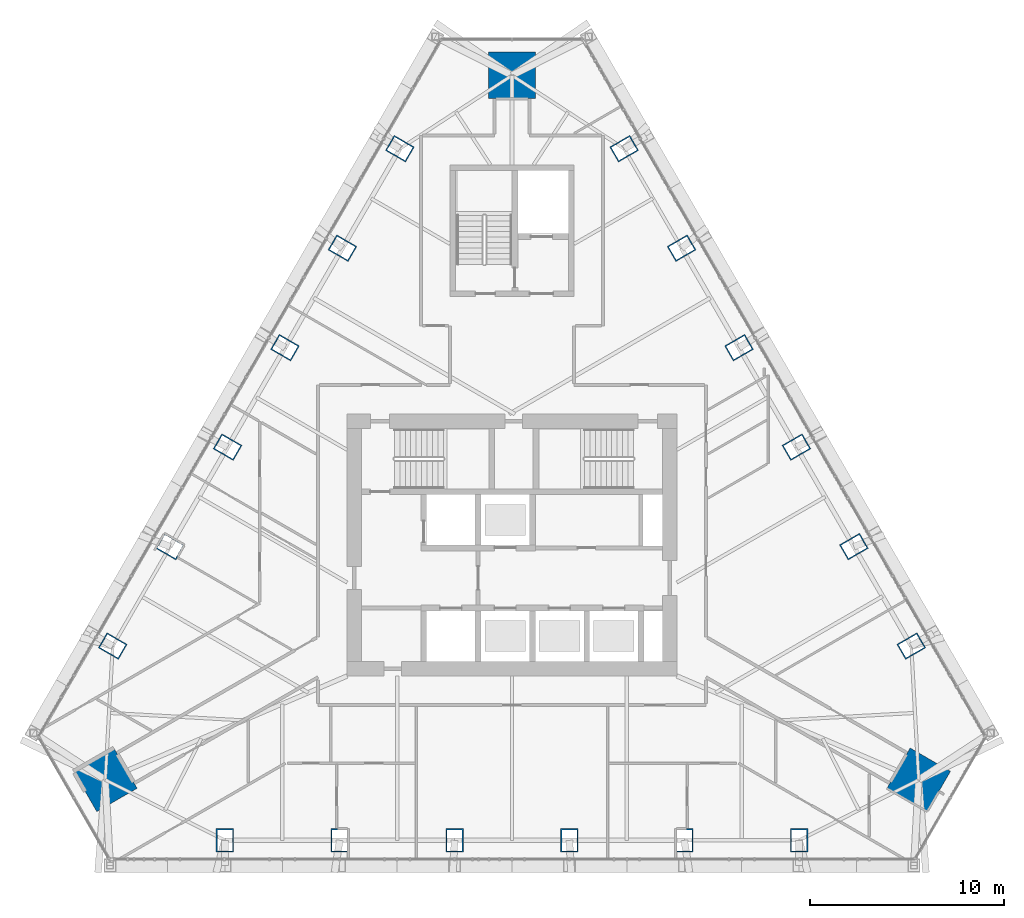
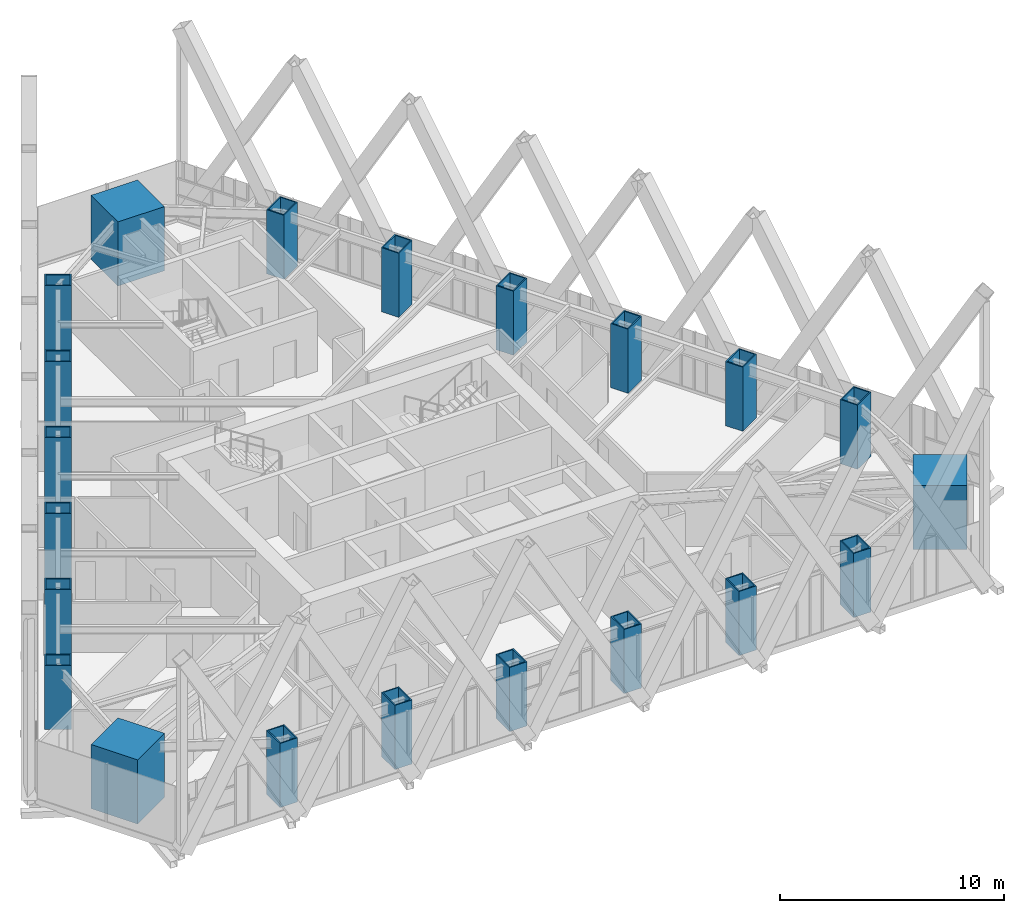
# One storey, part 1 of 23: 21 columns.
"""IFC4 building model written with IfcOpenShell, lengths in metres."""

import ifcopenshell
import ifcopenshell.guid

model = None  # the IFC model being written
_history = None  # IfcOwnerHistory: only IFC2X3 demands one
_inside = {}  # id of a spatial element -> (the spatial element, [elements in it])
_under = {}  # id of a project, library or spatial element -> (it, [spatial elements below it])
_declared = {}  # id of a project -> (the project, [libraries it declares])
_typed = {}  # id of a type object -> (the type object, [elements of that type])
_made_of = {}  # id of a material, layer set ... -> (it, [elements and type objects made of it])


def new_model(schema):
    """Start an empty IFC model of exactly this schema.

    Asked for "IFC4X3", IfcOpenShell would pick the latest addendum, in which some entities
    have other attributes; the version numbers below select the first issue.
    IFC2X3 requires an IfcOwnerHistory on every rooted entity: one is made here for all.
    """
    global model, _history
    if schema == "IFC4X3":
        model = ifcopenshell.file(schema_version=(4, 3, 0, 0))
    else:
        model = ifcopenshell.file(schema=schema)
    _inside.clear()
    _under.clear()
    _declared.clear()
    _typed.clear()
    _made_of.clear()
    _history = None
    if model.schema == "IFC2X3":
        org = make("IfcOrganization", Name="unknown")
        user = make(
            "IfcPersonAndOrganization",
            ThePerson=make("IfcPerson", FamilyName="unknown"),
            TheOrganization=org,
        )
        app = make(
            "IfcApplication",
            ApplicationDeveloper=org,
            Version="unknown",
            ApplicationFullName="unknown",
            ApplicationIdentifier="unknown",
        )
        _history = make(
            "IfcOwnerHistory",
            OwningUser=user,
            OwningApplication=app,
            ChangeAction="ADDED",
            CreationDate=0,
        )
    return model


def make(cls, **values):
    """One entity of the class cls with the attributes given. An attribute that is None is left unset."""
    return model.create_entity(
        cls, **{name: value for name, value in values.items() if value is not None}
    )


def rooted(cls, **values):
    """An entity with a GlobalId (a new one), such as an element, a storey or a relation."""
    return make(cls, GlobalId=ifcopenshell.guid.new(), OwnerHistory=_history, **values)


def si_unit(unit_type, name, prefix=None):
    """IfcSIUnit, for example si_unit("LENGTHUNIT", "METRE", prefix="MILLI")."""
    return make("IfcSIUnit", UnitType=unit_type, Prefix=prefix, Name=name)


def assignment(units):
    """IfcUnitAssignment: the units of a project."""
    return None if units is None else make("IfcUnitAssignment", Units=units)


def point(xyz):
    """IfcCartesianPoint."""
    return None if xyz is None else make("IfcCartesianPoint", Coordinates=xyz)


def direction(xyz):
    """IfcDirection."""
    return None if xyz is None else make("IfcDirection", DirectionRatios=xyz)


def frame(location, z_axis=None, x_axis=None):
    """IfcAxis2Placement3D, a coordinate frame: its origin and axes. An axis left out is left unset."""
    return make(
        "IfcAxis2Placement3D",
        Location=point(location),
        Axis=direction(z_axis),
        RefDirection=direction(x_axis),
    )


def frame_2d(location, x_axis=None):
    """IfcAxis2Placement2D, a coordinate frame in the plane: its origin and x axis."""
    return make(
        "IfcAxis2Placement2D", Location=point(location), RefDirection=direction(x_axis)
    )


def origin():
    """The frame at (0, 0, 0) with its axes left unset."""
    return frame((0.0, 0.0, 0.0))


def origin_2d():
    """The frame at (0, 0) in the plane with its x axis left unset."""
    return frame_2d((0.0, 0.0))


def place(relative_to, where):
    """IfcLocalPlacement: puts the frame where relative to a parent placement (None: the world)."""
    return make(
        "IfcLocalPlacement", PlacementRelTo=relative_to, RelativePlacement=where
    )


def context(
    kind, dimensions, precision=None, world=None, true_north=None, identifier=None
):
    """IfcGeometricRepresentationContext, for example the 3D "Model" context."""
    return make(
        "IfcGeometricRepresentationContext",
        ContextIdentifier=identifier,
        ContextType=kind,
        CoordinateSpaceDimension=dimensions,
        Precision=precision,
        WorldCoordinateSystem=world,
        TrueNorth=true_north,
    )


def subcontext(parent, identifier, kind, view, scale=None):
    """IfcGeometricRepresentationSubContext, for example "Body" below "Model"."""
    return make(
        "IfcGeometricRepresentationSubContext",
        ContextIdentifier=identifier,
        ContextType=kind,
        ParentContext=parent,
        TargetScale=scale,
        TargetView=view,
    )


def project(units=None, contexts=None):
    """IfcProject with its units and contexts."""
    return rooted(
        "IfcProject",
        Name="project",
        RepresentationContexts=contexts,
        UnitsInContext=assignment(units),
    )


def spatial(cls, under=None, at=None, **own):
    """A site, building, storey or space (cls), placed at a placement, below another one or the project."""
    s = rooted(cls, ObjectPlacement=at, **own)
    if under is not None:
        _under.setdefault(under.id(), (under, []))[1].append(s)
    return s


def profile(cls, at=None, kind="AREA", **sizes):
    """A parametric profile (cls). Its sizes go by their IFC names, for example OverallWidth=200.0."""
    return make(cls, ProfileType=kind, Position=at, **sizes)


def rectangle(**sizes):
    """IfcRectangleProfileDef."""
    return profile("IfcRectangleProfileDef", **sizes)


def hollow_rectangle(**sizes):
    """IfcRectangleHollowProfileDef."""
    return profile("IfcRectangleHollowProfileDef", **sizes)


def extrude(swept, where, along, depth):
    """IfcExtrudedAreaSolid: the profile swept, set in the frame where, extruded along a direction by depth."""
    return make(
        "IfcExtrudedAreaSolid",
        SweptArea=swept,
        Position=where,
        ExtrudedDirection=direction(along),
        Depth=depth,
    )


def shape(context_of_items, identifier, shape_type, items):
    """IfcShapeRepresentation: the items that make up one representation, for example the "Body"."""
    return make(
        "IfcShapeRepresentation",
        ContextOfItems=context_of_items,
        RepresentationIdentifier=identifier,
        RepresentationType=shape_type,
        Items=items,
    )


def material(Name=None, Category=None):
    """IfcMaterial."""
    return make("IfcMaterial", Name=Name, Category=Category)


def material_profile(
    of_material, cross_section, Name=None, Category=None, Priority=None
):
    """IfcMaterialProfile: a cross section and its material."""
    return make(
        "IfcMaterialProfile",
        Name=Name,
        Material=of_material,
        Profile=cross_section,
        Priority=Priority,
        Category=Category,
    )


def profile_set(profiles, Name=None, composite=None):
    """IfcMaterialProfileSet."""
    return make(
        "IfcMaterialProfileSet",
        Name=Name,
        MaterialProfiles=profiles,
        CompositeProfile=composite,
    )


def made_of(thing, what):
    """Note that an element or type object is made of a material, layer set ...; save() writes the relation."""
    if what is not None:
        _made_of.setdefault(what.id(), (what, []))[1].append(thing)
    return thing


def type_object(cls, material=None, **own):
    """A type object (cls), such as IfcWallType, which elements share."""
    return made_of(rooted(cls, **own), material)


def element(
    cls,
    number,
    at=None,
    inside=None,
    cuts=None,
    type_object=None,
    material=None,
    context=None,
    identifier="Body",
    shape_type=None,
    held_by="IfcProductDefinitionShape",
    body=None,
    shapes=None,
    **own,
):
    """One element of the class cls, such as IfcWall. Its Tag is "e" and its number.

    at: its placement. inside: the storey or other place that contains it. cuts: it is an
    opening in that element (IfcRelVoidsElement). A single representation is given by context,
    identifier, shape_type and body (its items); several are given by shapes. held_by: the class
    of the entity that holds the representations. save() writes the other relations.
    """
    e = rooted(cls, Tag="e%d" % number, ObjectPlacement=at, **own)
    if body is not None:
        shapes = [shape(context, identifier, shape_type, body)]
    if shapes is not None:
        e.Representation = make(held_by, Representations=shapes)
    if inside is not None:
        _inside.setdefault(inside.id(), (inside, []))[1].append(e)
    if cuts is not None:
        rooted(
            "IfcRelVoidsElement", RelatingBuildingElement=cuts, RelatedOpeningElement=e
        )
    if type_object is not None:
        _typed.setdefault(type_object.id(), (type_object, []))[1].append(e)
    return made_of(e, material)


def aggregate(whole, parts):
    """IfcRelAggregates: a whole, such as a stair, and the parts it consists of."""
    return rooted("IfcRelAggregates", RelatingObject=whole, RelatedObjects=parts)


def save(model, path):
    """Write the relations noted so far, then the file.

    IfcRelAggregates (storeys below a building ...), IfcRelContainedInSpatialStructure (elements
    in a storey), IfcRelDefinesByType, IfcRelAssociatesMaterial and IfcRelDeclares: one each for
    every whole, place, type object, material and project.
    """
    for whole, parts in _under.values():
        aggregate(whole, parts)
    for where, things in _inside.values():
        rooted(
            "IfcRelContainedInSpatialStructure",
            RelatedElements=things,
            RelatingStructure=where,
        )
    for kind, things in _typed.values():
        rooted("IfcRelDefinesByType", RelatedObjects=things, RelatingType=kind)
    for what, things in _made_of.values():
        rooted("IfcRelAssociatesMaterial", RelatedObjects=things, RelatingMaterial=what)
    for by, libraries in _declared.values():
        rooted("IfcRelDeclares", RelatingContext=by, RelatedDefinitions=libraries)
    model.write(path)


model = new_model("IFC4")

# Units and contexts
model_context = context("Model", 3, precision=1e-05, world=origin(), true_north=direction((0.0, 1.0)))
body_context = subcontext(model_context, "Body", "Model", "MODEL_VIEW")
ifc_project = project(units=[si_unit("LENGTHUNIT", "METRE"), si_unit("AREAUNIT", "SQUARE_METRE"), si_unit("VOLUMEUNIT", "CUBIC_METRE"), si_unit("PLANEANGLEUNIT", "RADIAN"), si_unit("MASSUNIT", "GRAM", prefix="KILO")], contexts=[model_context])

# Site, building, storey
site_placement = place(None, origin())
site = spatial("IfcSite", under=ifc_project, at=site_placement, CompositionType="ELEMENT")
building_placement = place(site_placement, origin())
building = spatial("IfcBuilding", under=site, at=building_placement, Name="Firuza Gate Tower and Library", CompositionType="ELEMENT")
storey_placement = place(building_placement, frame((0.0, 0.0, 312.60009765625)))
storey = spatial("IfcBuildingStorey", under=building, at=storey_placement, Name="L76", CompositionType="ELEMENT", Elevation=312.60009765625)

# Columns
ifc_material_1 = material(Name="Steel S355", Category="steel")
ifc_material_profile_1 = material_profile(ifc_material_1, hollow_rectangle(XDim=0.89990234375, YDim=1.199951171875, WallThickness=0.06005859375, at=origin_2d()))
ifc_profile_set_1 = profile_set([ifc_material_profile_1], Name="Steel S355")
column_type_1 = type_object("IfcColumnType", Name="BU1200x900x60 Composite box column", PredefinedType="COLUMN", material=ifc_profile_set_1)
for number, where, z_axis, x_axis, name in (
    (1, (60.199951171875, 59.7802734375, -0.00048828125), (0.0, 0.0, 1.0), (1.0, 0.0, 0.0), "Column S1 L76"),
    (2, (66.1201171875, 59.7802734375, -0.00048828125), (0.0, 0.0, 1.0), (1.0, 0.0, 0.0), "Column S2 L76"),
    (3, (72.0400390625, 59.7802734375, -0.00048828125), (0.0, 0.0, 1.0), (1.0, 0.0, 0.0), "Column S3 L76"),
    (4, (77.9599609375, 59.7802734375, -0.00048828125), (0.0, 0.0, 1.0), (1.0, 0.0, 0.0), "Column S4 L76"),
    (5, (83.8798828125, 59.7802734375, -0.00048828125), (0.0, 0.0, 1.0), (1.0, 0.0, 0.0), "Column S5 L76"),
    (6, (89.800048828125, 59.7802734375, -0.00048828125), (0.0, 0.0, 1.0), (1.0, 0.0, 0.0), "Column S6 L76"),
    (7, (95.58056640625, 69.792724609375, -0.00048828125), (0.0, 0.0, 1.0), (-0.5, 0.866025403784, 0.0), "Column E1 L76"),
    (8, (92.62060546875, 74.91943359375, -0.00048828125), (0.0, 0.0, 1.0), (-0.5, 0.866025403784, 0.0), "Column E2 L76"),
    (9, (89.66064453125, 80.04638671875, -0.00048828125), (0.0, 0.0, 1.0), (-0.5, 0.866025403784, 0.0), "Column E3 L76"),
    (10, (86.70068359375, 85.17333984375, -0.00048828125), (0.0, 0.0, 1.0), (-0.5, 0.866025403784, 0.0), "Column E4 L76"),
    (11, (83.740478515625, 90.300048828125, -0.00048828125), (0.0, 0.0, 1.0), (-0.5, 0.866025403784, 0.0), "Column E5 L76"),
    (12, (80.780517578125, 95.427001953125, -0.00048828125), (0.0, 0.0, 1.0), (-0.5, 0.866025403784, 0.0), "Column E6 L76"),
    (13, (69.219482421875, 95.427001953125, -0.00048828125), (0.0, 0.0, 1.0), (-0.5, -0.866025403784, 0.0), "Column W1 L76"),
    (14, (66.259521484375, 90.300048828125, -0.00048828125), (0.0, 0.0, 1.0), (-0.5, -0.866025403784, 0.0), "Column W2 L76"),
    (15, (63.29931640625, 85.17333984375, -0.00048828125), (0.0, 0.0, 1.0), (-0.5, -0.866025403784, 0.0), "Column W3 L76"),
    (16, (60.33935546875, 80.04638671875, -0.00048828125), (0.0, 0.0, 1.0), (-0.5, -0.866025403784, 0.0), "Column W4 L76"),
    (17, (57.37939453125, 74.91943359375, -0.00048828125), (0.0, 0.0, 1.0), (-0.5, -0.866025403784, 0.0), "Column W5 L76"),
    (18, (54.41943359375, 69.792724609375, -0.00048828125), (0.0, 0.0, 1.0), (-0.5, -0.866025403784, 0.0), "Column W6 L76"),
):
    element("IfcColumn", number, at=place(storey_placement, frame(where, z_axis=z_axis, x_axis=x_axis)), inside=storey, type_object=column_type_1, Name=name, PredefinedType="COLUMN", context=body_context, shape_type="SweptSolid", body=[
        extrude(hollow_rectangle(XDim=0.89990234375, YDim=1.199951171875, WallThickness=0.06005859375, at=origin_2d()), origin(), (0.0, 0.0, 1.0), 3.50048828125),
    ])
ifc_material_2 = material(Name="Concrete C80/95", Category="concrete")
ifc_material_profile_2 = material_profile(ifc_material_2, rectangle(XDim=2.39990234375, YDim=2.39990234375, at=origin_2d()))
ifc_profile_set_2 = profile_set([ifc_material_profile_2], Name="Concrete C80/95")
column_type_2 = type_object("IfcColumnType", Name="Mega column 2400x2400 C80/95", PredefinedType="COLUMN", material=ifc_profile_set_2)
for number, where, z_axis, x_axis, name in (
    (19, (95.961181640625, 62.898193359375, 0.0), (0.0, 0.0, 1.0), (0.5, 0.866025403784, 0.0), "Mega column SE L76"),
    (20, (75.0, 99.203857421875, 0.0), (0.0, 0.0, 1.0), (-1.0, 0.0, 0.0), "Mega column N L76"),
    (21, (54.038818359375, 62.898193359375, 0.0), (0.0, 0.0, 1.0), (0.5, -0.866025403784, 0.0), "Mega column SW L76"),
):
    element("IfcColumn", number, at=place(storey_placement, frame(where, z_axis=z_axis, x_axis=x_axis)), inside=storey, type_object=column_type_2, Name=name, PredefinedType="COLUMN", context=body_context, shape_type="SweptSolid", body=[
        extrude(rectangle(XDim=2.39990234375, YDim=2.39990234375, at=origin_2d()), origin(), (0.0, 0.0, 1.0), 3.5),
    ])

save(model, "model.ifc")
